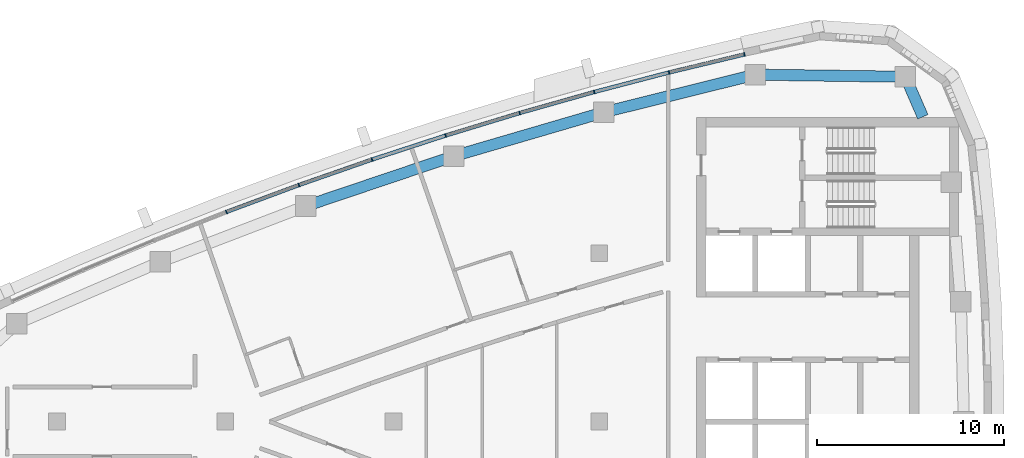
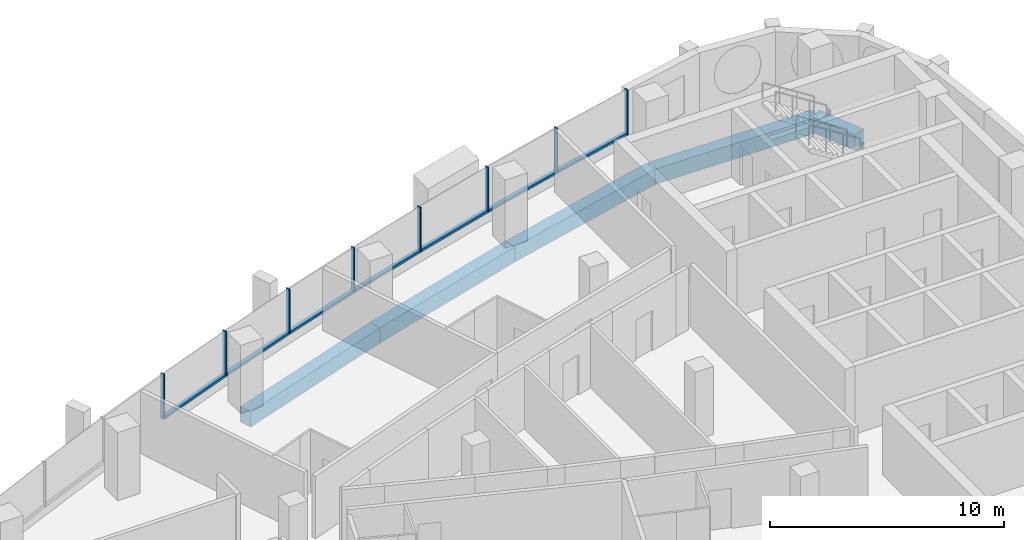
# One storey, part 5 of 14: 15 members, 5 beams, 4 elements without a shape of their own.
"""IFC4 building model written with IfcOpenShell, lengths in metres."""

from ifc_helpers import new_model, si_unit, direction, frame, origin, origin_2d, place, context, subcontext, project, spatial, rectangle, extrude, material, layer, layer_set, material_profile, profile_set, type_object, element, aggregate, save


model = new_model("IFC4")

# Units and contexts
model_context = context("Model", 3, precision=1e-05, world=origin(), true_north=direction((0.0, 1.0)))
body_context = subcontext(model_context, "Body", "Model", "MODEL_VIEW")
ifc_project = project(units=[si_unit("LENGTHUNIT", "METRE"), si_unit("AREAUNIT", "SQUARE_METRE"), si_unit("VOLUMEUNIT", "CUBIC_METRE"), si_unit("PLANEANGLEUNIT", "RADIAN"), si_unit("MASSUNIT", "GRAM", prefix="KILO")], contexts=[model_context])

# Site, building, storey
site_placement = place(None, origin())
site = spatial("IfcSite", under=ifc_project, at=site_placement, CompositionType="ELEMENT")
building_placement = place(site_placement, origin())
building = spatial("IfcBuilding", under=site, at=building_placement, Name="Ostrand Prow Hotel Tower", CompositionType="ELEMENT")
storey_placement = place(building_placement, frame((0.0, 0.0, 275.0)))
storey = spatial("IfcBuildingStorey", under=building, at=storey_placement, Name="L69", CompositionType="ELEMENT", Elevation=275.0)

# Beams
ifc_material_1 = material(Name="Concrete C50/60", Category="concrete")
ifc_material_profile_1 = material_profile(ifc_material_1, rectangle(XDim=0.60009765625, YDim=0.800048828125, at=origin_2d()), Name="RC 600x800")
ifc_profile_set_1 = profile_set([ifc_material_profile_1], Name="Concrete C50/60")
beam_type = type_object("IfcBeamType", Name="Edge beam 600x800 C50/60", PredefinedType="SPANDREL", material=ifc_profile_set_1)
beam_1_placement = place(storey_placement, frame((62.304931640625, 16.300048828125, -0.699951171875), z_axis=(-0.398863844187, 0.91701016014, 0.0), x_axis=(-0.91701016014, -0.398863844187, 0.0)))
element("IfcBeam", 1, at=beam_1_placement, inside=storey, type_object=beam_type, Name="Edge beam B5-NE", PredefinedType="SPANDREL", context=body_context, shape_type="SweptSolid", body=[
    extrude(rectangle(XDim=0.60009765625, YDim=0.800048828125, at=origin_2d()), origin(), (0.0, 0.0, 1.0), 2.333251953125),
])
beam_2_placement = place(storey_placement, frame((61.374267578125, 18.439697265625, -0.699951171875), z_axis=(-0.999900689486, 0.014092947356, 0.0), x_axis=(-0.014092947356, -0.999900689486, 0.0)))
element("IfcBeam", 2, at=beam_2_placement, inside=storey, type_object=beam_type, Name="Edge beam NE-N1", PredefinedType="SPANDREL", context=body_context, shape_type="SweptSolid", body=[
    extrude(rectangle(XDim=0.60009765625, YDim=0.800048828125, at=origin_2d()), origin(), (0.0, 0.0, 1.0), 8.0380859375),
])
for number, where, z_axis, x_axis, name in (
    (3, (53.3369140625, 18.552978515625, -0.699951171875), (-0.970456465292, -0.241276291775, 0.0), (0.241276291775, -0.970456465292, 0.0), "Edge beam N1-N2"),
    (4, (45.234619140625, 16.53857421875, -0.699951171875), (-0.959821966031, -0.280609681809, 0.0), (0.280609681809, -0.959821966031, 0.0), "Edge beam N2-N3"),
    (5, (37.22119140625, 14.19580078125, -0.699951171875), (-0.947575089419, -0.319533174981, 0.0), (0.319533174981, -0.947575089419, 0.0), "Edge beam N3-N4"),
):
    element("IfcBeam", number, at=place(storey_placement, frame(where, z_axis=z_axis, x_axis=x_axis)), inside=storey, type_object=beam_type, Name=name, PredefinedType="SPANDREL", context=body_context, shape_type="SweptSolid", body=[
        extrude(rectangle(XDim=0.60009765625, YDim=0.800048828125, at=origin_2d()), origin(), (0.0, 0.0, 1.0), 8.348876953125),
    ])

# Curtain wall, members
ifc_material_2 = material(Name="Insulated glass in bronze anodised frame", Category="glass")
ifc_layer = layer(ifc_material_2, 0.199951171875)
ifc_layer_set = layer_set([ifc_layer], Name="Insulated glass in bronze anodised frame")
curtain_wall_type = type_object("IfcCurtainWallType", Name="Strip curtain wall, fritted glass over bronze spandrel", PredefinedType="NOTDEFINED", material=ifc_layer_set)
curtain_wall_1_placement = place(storey_placement, origin())
curtain_wall_1 = element("IfcCurtainWall", 6, at=curtain_wall_1_placement, inside=storey, type_object=curtain_wall_type, Name="CW1 run CWN1", PredefinedType="NOTDEFINED")
ifc_material_3 = material(Name="Bronze anodised aluminium", Category="aluminium")
ifc_material_profile_2 = material_profile(ifc_material_3, rectangle(XDim=0.199951171875, YDim=0.06005859375, at=origin_2d()), Name="Mullion 60x200 bronze anodised aluminium")
ifc_profile_set_2 = profile_set([ifc_material_profile_2], Name="Bronze anodised aluminium")
member_type_1 = type_object("IfcMemberType", Name="Mullion 60x200 bronze anodised aluminium", PredefinedType="MULLION", material=ifc_profile_set_2)
member_1_placement = place(storey_placement, frame((52.7607421875, 19.634521484375, 0.89990234375), z_axis=(0.0, 0.0, 1.0), x_axis=(0.232746096028, -0.972537533869, 0.0)))
member_1 = element("IfcMember", 7, at=member_1_placement, type_object=member_type_1, Name="CW1 mullion 1", PredefinedType="MULLION", context=body_context, shape_type="SweptSolid", body=[
    extrude(rectangle(XDim=0.199951171875, YDim=0.06005859375, at=origin_2d()), origin(), (0.0, 0.0, 1.0), 2.35009765625),
])
member_2_placement = place(storey_placement, frame((48.734619140625, 18.6708984375, 0.89990234375), z_axis=(0.0, 0.0, 1.0), x_axis=(0.252248384867, -0.967662519855, 0.0)))
member_2 = element("IfcMember", 8, at=member_2_placement, type_object=member_type_1, Name="CW1 mullion 2", PredefinedType="MULLION", context=body_context, shape_type="SweptSolid", body=[
    extrude(rectangle(XDim=0.199951171875, YDim=0.06005859375, at=origin_2d()), origin(), (0.0, 0.0, 1.0), 2.35009765625),
])
member_3_placement = place(storey_placement, frame((44.728515625, 17.626708984375, 0.89990234375), z_axis=(0.0, 0.0, 1.0), x_axis=(0.252248384867, -0.967662519855, 0.0)))
member_3 = element("IfcMember", 9, at=member_3_placement, type_object=member_type_1, Name="CW1 mullion 3", PredefinedType="MULLION", context=body_context, shape_type="SweptSolid", body=[
    extrude(rectangle(XDim=0.199951171875, YDim=0.06005859375, at=origin_2d()), origin(), (0.0, 0.0, 1.0), 2.35009765625),
])

curtain_wall_2_placement = place(storey_placement, origin())
curtain_wall_2 = element("IfcCurtainWall", 10, at=curtain_wall_2_placement, inside=storey, type_object=curtain_wall_type, Name="CW1 run CWN2", PredefinedType="NOTDEFINED")
member_4_placement = place(storey_placement, frame((40.744384765625, 16.502197265625, 0.89990234375), z_axis=(0.0, 0.0, 1.0), x_axis=(0.290937648411, -0.956742015769, 0.0)))
member_4 = element("IfcMember", 11, at=member_4_placement, type_object=member_type_1, Name="CW1 mullion 2", PredefinedType="MULLION", context=body_context, shape_type="SweptSolid", body=[
    extrude(rectangle(XDim=0.199951171875, YDim=0.06005859375, at=origin_2d()), origin(), (0.0, 0.0, 1.0), 2.35009765625),
])
member_5_placement = place(storey_placement, frame((36.78369140625, 15.297607421875, 0.89990234375), z_axis=(0.0, 0.0, 1.0), x_axis=(0.290937648411, -0.956742015769, 0.0)))
member_5 = element("IfcMember", 12, at=member_5_placement, type_object=member_type_1, Name="CW1 mullion 3", PredefinedType="MULLION", context=body_context, shape_type="SweptSolid", body=[
    extrude(rectangle(XDim=0.199951171875, YDim=0.06005859375, at=origin_2d()), origin(), (0.0, 0.0, 1.0), 2.35009765625),
])

curtain_wall_3_placement = place(storey_placement, origin())
curtain_wall_3 = element("IfcCurtainWall", 13, at=curtain_wall_3_placement, inside=storey, type_object=curtain_wall_type, Name="CW1 run CWN3", PredefinedType="NOTDEFINED")
member_6_placement = place(storey_placement, frame((32.84814453125, 14.013916015625, 0.89990234375), z_axis=(0.0, 0.0, 1.0), x_axis=(0.329158370885, -0.944274730614, 0.0)))
member_6 = element("IfcMember", 14, at=member_6_placement, type_object=member_type_1, Name="CW1 mullion 2", PredefinedType="MULLION", context=body_context, shape_type="SweptSolid", body=[
    extrude(rectangle(XDim=0.199951171875, YDim=0.06005859375, at=origin_2d()), origin(), (0.0, 0.0, 1.0), 2.35009765625),
])
member_7_placement = place(storey_placement, frame((28.93896484375, 12.6513671875, 0.89990234375), z_axis=(0.0, 0.0, 1.0), x_axis=(0.329158370885, -0.944274730614, 0.0)))
member_7 = element("IfcMember", 15, at=member_7_placement, type_object=member_type_1, Name="CW1 mullion 3", PredefinedType="MULLION", context=body_context, shape_type="SweptSolid", body=[
    extrude(rectangle(XDim=0.199951171875, YDim=0.06005859375, at=origin_2d()), origin(), (0.0, 0.0, 1.0), 2.35009765625),
])

# Curtain wall, member
curtain_wall_4_placement = place(storey_placement, origin())
curtain_wall_4 = element("IfcCurtainWall", 16, at=curtain_wall_4_placement, inside=storey, type_object=curtain_wall_type, Name="CW1 run CWN4", PredefinedType="NOTDEFINED")
member_8_placement = place(storey_placement, frame((25.05810546875, 11.210205078125, 0.89990234375), z_axis=(0.0, 0.0, 1.0), x_axis=(0.366845465248, -0.930281895249, 0.0)))
member_8 = element("IfcMember", 17, at=member_8_placement, type_object=member_type_1, Name="CW1 mullion 2", PredefinedType="MULLION", context=body_context, shape_type="SweptSolid", body=[
    extrude(rectangle(XDim=0.199951171875, YDim=0.06005859375, at=origin_2d()), origin(), (0.0, 0.0, 1.0), 2.35009765625),
])

# Member
ifc_material_4 = material(Name="Bronze anodised aluminium", Category="aluminium")
ifc_material_profile_3 = material_profile(ifc_material_4, rectangle(XDim=0.199951171875, YDim=0.1201171875, at=origin_2d()), Name="Transom 120x200 bronze anodised aluminium")
ifc_profile_set_3 = profile_set([ifc_material_profile_3], Name="Bronze anodised aluminium")
member_type_2 = type_object("IfcMemberType", Name="Transom 120x200 bronze anodised aluminium", PredefinedType="USERDEFINED", material=ifc_profile_set_3)
member_9_placement = place(storey_placement, frame((52.7314453125, 19.62744140625, 0.9599609375), z_axis=(-0.972542980558, -0.232723335675, 0.0), x_axis=(0.232723335675, -0.972542980558, 0.0)))
member_9 = element("IfcMember", 18, at=member_9_placement, type_object=member_type_2, Name="CW1 transom 1.1", ObjectType="TRANSOM", PredefinedType="USERDEFINED", context=body_context, shape_type="SweptSolid", body=[
    extrude(rectangle(XDim=0.199951171875, YDim=0.1201171875, at=origin_2d()), origin(), (0.0, 0.0, 1.0), 4.079833984375),
])

member_10_placement = place(storey_placement, frame((48.70556640625, 18.663330078125, 0.9599609375), z_axis=(-0.967664917891, -0.252239185461, 0.0), x_axis=(0.252239185461, -0.967664917891, 0.0)))
member_10 = element("IfcMember", 19, at=member_10_placement, type_object=member_type_2, Name="CW1 transom 2.1", ObjectType="TRANSOM", PredefinedType="USERDEFINED", context=body_context, shape_type="SweptSolid", body=[
    extrude(rectangle(XDim=0.199951171875, YDim=0.1201171875, at=origin_2d()), origin(), (0.0, 0.0, 1.0), 4.07958984375),
])

aggregate(curtain_wall_1, [member_1, member_2, member_3, member_9, member_10])

member_11_placement = place(storey_placement, frame((44.69970703125, 17.61865234375, 0.9599609375), z_axis=(-0.962386308628, -0.271684730828, 0.0), x_axis=(0.271684730828, -0.962386308628, 0.0)))
member_11 = element("IfcMember", 20, at=member_11_placement, type_object=member_type_2, Name="CW1 transom 1.1", ObjectType="TRANSOM", PredefinedType="USERDEFINED", context=body_context, shape_type="SweptSolid", body=[
    extrude(rectangle(XDim=0.199951171875, YDim=0.1201171875, at=origin_2d()), origin(), (0.0, 0.0, 1.0), 4.079833984375),
])

member_12_placement = place(storey_placement, frame((40.7158203125, 16.493408203125, 0.9599609375), z_axis=(-0.956739081124, -0.290947298751, 0.0), x_axis=(0.290947298751, -0.956739081124, 0.0)))
member_12 = element("IfcMember", 21, at=member_12_placement, type_object=member_type_2, Name="CW1 transom 2.1", ObjectType="TRANSOM", PredefinedType="USERDEFINED", context=body_context, shape_type="SweptSolid", body=[
    extrude(rectangle(XDim=0.199951171875, YDim=0.1201171875, at=origin_2d()), origin(), (0.0, 0.0, 1.0), 4.079833984375),
])

aggregate(curtain_wall_2, [member_4, member_5, member_11, member_12])

member_13_placement = place(storey_placement, frame((36.75537109375, 15.288330078125, 0.9599609375), z_axis=(-0.950704145978, -0.310099382165, 0.0), x_axis=(0.310099382165, -0.950704145978, 0.0)))
member_13 = element("IfcMember", 22, at=member_13_placement, type_object=member_type_2, Name="CW1 transom 1.1", ObjectType="TRANSOM", PredefinedType="USERDEFINED", context=body_context, shape_type="SweptSolid", body=[
    extrude(rectangle(XDim=0.199951171875, YDim=0.1201171875, at=origin_2d()), origin(), (0.0, 0.0, 1.0), 4.079833984375),
])

member_14_placement = place(storey_placement, frame((32.81982421875, 14.004150390625, 0.9599609375), z_axis=(-0.944268108385, -0.329177367822, 0.0), x_axis=(0.329177367822, -0.944268108385, 0.0)))
member_14 = element("IfcMember", 23, at=member_14_placement, type_object=member_type_2, Name="CW1 transom 2.1", ObjectType="TRANSOM", PredefinedType="USERDEFINED", context=body_context, shape_type="SweptSolid", body=[
    extrude(rectangle(XDim=0.199951171875, YDim=0.1201171875, at=origin_2d()), origin(), (0.0, 0.0, 1.0), 4.079833984375),
])

aggregate(curtain_wall_3, [member_6, member_7, member_13, member_14])

member_15_placement = place(storey_placement, frame((28.910888671875, 12.640869140625, 0.9599609375), z_axis=(-0.937460424566, -0.348091873465, 0.0), x_axis=(0.348091873465, -0.937460424566, 0.0)))
member_15 = element("IfcMember", 24, at=member_15_placement, type_object=member_type_2, Name="CW1 transom 1.1", ObjectType="TRANSOM", PredefinedType="USERDEFINED", context=body_context, shape_type="SweptSolid", body=[
    extrude(rectangle(XDim=0.199951171875, YDim=0.1201171875, at=origin_2d()), origin(), (0.0, 0.0, 1.0), 4.079833984375),
])

aggregate(curtain_wall_4, [member_8, member_15])

save(model, "model.ifc")
